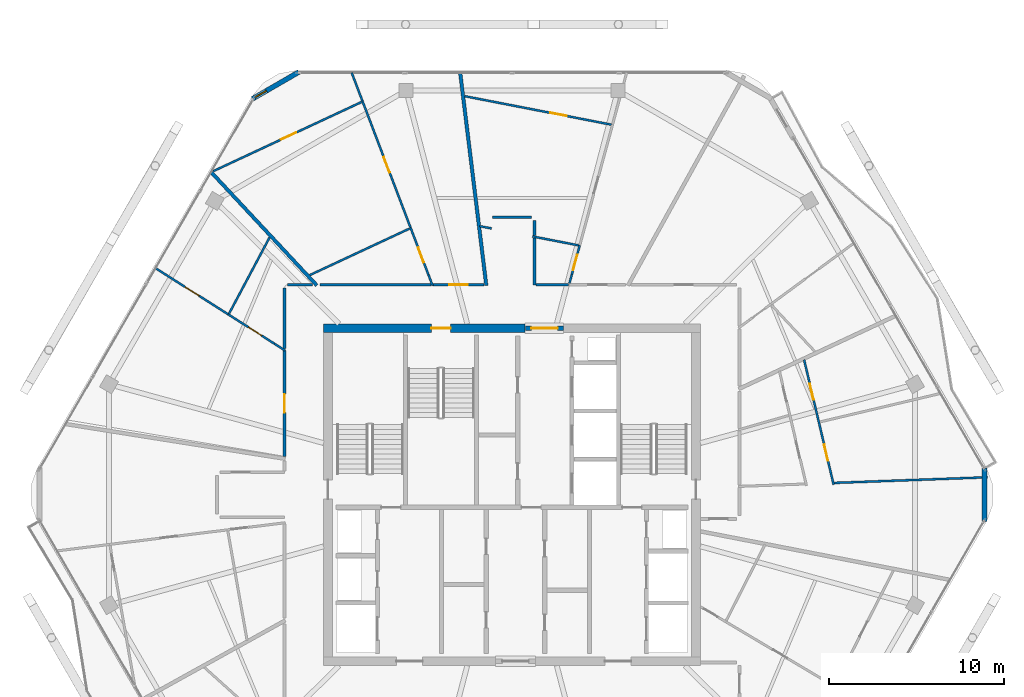
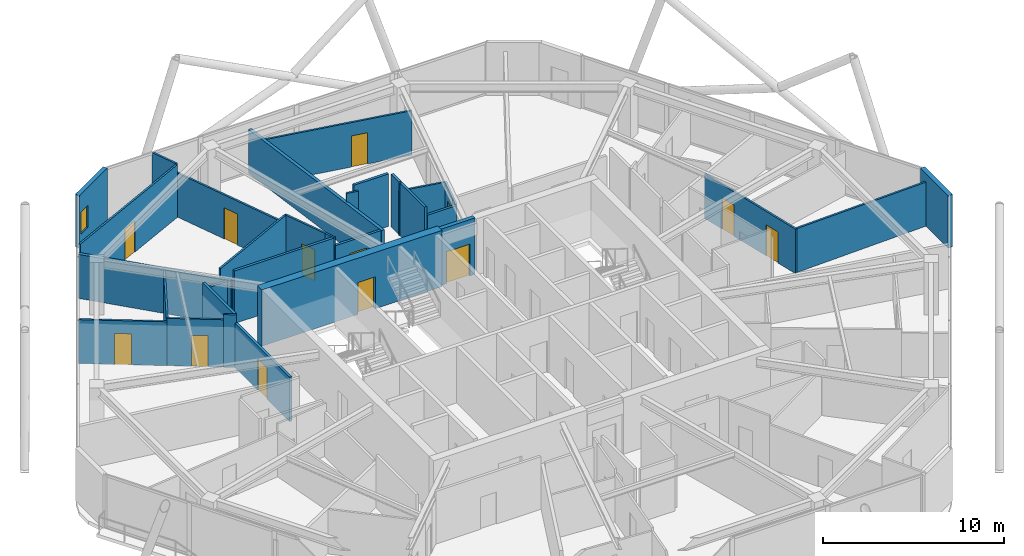
# One storey, part 19 of 23: 32 walls, 13 doors, 1 window, 14 openings.
"""IFC4 building model written with IfcOpenShell, lengths in metres."""

from ifc_helpers import new_model, si_unit, direction, frame, frame_2d, origin, place, context, subcontext, project, spatial, rectangle, extrude, material, layer, layer_set, type_object, element, fill, save


model = new_model("IFC4")

# Units and contexts
model_context = context("Model", 3, precision=1e-05, world=origin(), true_north=direction((0.0, 1.0)))
body_context = subcontext(model_context, "Body", "Model", "MODEL_VIEW")
ifc_project = project(units=[si_unit("LENGTHUNIT", "METRE"), si_unit("AREAUNIT", "SQUARE_METRE"), si_unit("VOLUMEUNIT", "CUBIC_METRE"), si_unit("PLANEANGLEUNIT", "RADIAN"), si_unit("MASSUNIT", "GRAM", prefix="KILO")], contexts=[model_context])

# Site, building, storey
site_placement = place(None, origin())
site = spatial("IfcSite", under=ifc_project, at=site_placement, CompositionType="ELEMENT")
building_placement = place(site_placement, origin())
building = spatial("IfcBuilding", under=site, at=building_placement, Name="Zuhravey Tower", CompositionType="ELEMENT")
storey_placement = place(building_placement, frame((0.0, 0.0, 331.0)))
storey = spatial("IfcBuildingStorey", under=building, at=storey_placement, Name="L84", CompositionType="ELEMENT", Elevation=331.0)

# Wall, opening, door
ifc_material_1 = material(Name="Concrete C50/60", Category="concrete")
ifc_layer_1 = layer(ifc_material_1, 0.5)
ifc_layer_set_1 = layer_set([ifc_layer_1], Name="Concrete C50/60")
wall_type_1 = type_object("IfcWallType", Name="Core Shear Wall 500", PredefinedType="SHEAR", material=ifc_layer_set_1)
wall_1_placement = place(storey_placement, frame((36.75, 41.5, 0.0), z_axis=(0.0, 0.0, 1.0), x_axis=(-1.0, 0.0, 0.0)))
wall_1 = element("IfcWall", 1, at=wall_1_placement, inside=storey, type_object=wall_type_1, Name="L84 North-West Core Shear Wall CW50", PredefinedType="SHEAR", context=body_context, shape_type="SweptSolid", body=[
    extrude(rectangle(XDim=11.5, YDim=0.5, at=frame_2d((5.75, 0.0))), origin(), (0.0, 0.0, 1.0), 3.800048828125),
])
opening_1_placement = place(wall_1_placement, frame((4.25, 0.0, 0.0)))
opening_1 = element("IfcOpeningElement", 2, at=opening_1_placement, cuts=wall_1, Name="Opening STD1", PredefinedType="OPENING", context=body_context, shape_type="SweptSolid", body=[
    extrude(rectangle(XDim=1.10009765625, YDim=2.14990234375, at=frame_2d((0.550048828125, 1.074951171875))), frame((0.0, 0.261962890625, 0.0), z_axis=(0.0, -1.0, 0.0), x_axis=(1.0, 0.0, 0.0)), (0.0, 0.0, 1.0), 0.52392578125),
])
ifc_material_2 = material(Name="Galvanised fire-rated steel leaf", Category="steel")
door_type_1 = type_object("IfcDoorType", Name="Protected Stair Fire Door 1100x2150", OperationType="NOTDEFINED", PredefinedType="USERDEFINED", material=ifc_material_2)
door_1_placement = place(opening_1_placement, origin())
door_1 = element("IfcDoor", 3, at=door_1_placement, inside=storey, type_object=door_type_1, Name="L84 Stair ST3 Door", ObjectType="EXITDOOR", OperationType="SINGLE_SWING_LEFT", OverallHeight=2.14990234375, OverallWidth=1.10009765625, PredefinedType="USERDEFINED", context=body_context, shape_type="SweptSolid", body=[
    extrude(rectangle(XDim=1.10009765625, YDim=2.14990234375, at=frame_2d((0.550048828125, 1.074951171875))), frame((0.0, 0.02490234375, 0.0), z_axis=(0.0, -1.0, 0.0), x_axis=(1.0, 0.0, 0.0)), (0.0, 0.0, 1.0), 0.050048828125),
])
fill(opening_1, door_1)

ifc_material_3 = material(Name="Gypsum fire-rated stud partition")
ifc_layer_2 = layer(ifc_material_3, 0.159912109375)
ifc_layer_set_2 = layer_set([ifc_layer_2], Name="Gypsum fire-rated stud partition")
wall_type_2 = type_object("IfcWallType", Name="Corridor Fire Partition 160", PredefinedType="PARTITIONING", material=ifc_layer_set_2)
wall_2_placement = place(storey_placement, frame((23.02001953125, 40.226318359375, 0.0), z_axis=(0.0, 0.0, 1.0), x_axis=(0.0, -1.0, 0.0)))
wall_2 = element("IfcWall", 4, at=wall_2_placement, inside=storey, type_object=wall_type_2, Name="L84 IW16 Partition 023", PredefinedType="PARTITIONING", context=body_context, shape_type="SweptSolid", body=[
    extrude(rectangle(XDim=6.033935546875, YDim=0.159912109375, at=frame_2d((3.01708984375, 0.0))), origin(), (0.0, 0.0, 1.0), 3.0),
])
opening_2_placement = place(wall_2_placement, frame((2.491943359375, 0.0, 0.0)))
opening_2 = element("IfcOpeningElement", 5, at=opening_2_placement, cuts=wall_2, Name="Opening APD1", PredefinedType="OPENING", context=body_context, shape_type="SweptSolid", body=[
    extrude(rectangle(XDim=1.050048828125, YDim=2.14990234375, at=frame_2d((0.52490234375, 1.074951171875))), frame((0.0, 0.092041015625, 0.0), z_axis=(0.0, -1.0, 0.0), x_axis=(1.0, 0.0, 0.0)), (0.0, 0.0, 1.0), 0.183837890625),
])
ifc_material_4 = material(Name="Solid-core oak fire-rated leaf")
door_type_2 = type_object("IfcDoorType", Name="Apartment Entrance Fire Door 1050x2150", OperationType="NOTDEFINED", PredefinedType="DOOR", material=ifc_material_4)
door_2_placement = place(opening_2_placement, frame((1.050048828125, 0.0, 0.0), z_axis=(0.0, 0.0, 1.0), x_axis=(-1.0, 0.0, 0.0)))
door_2 = element("IfcDoor", 6, at=door_2_placement, inside=storey, type_object=door_type_2, Name="L84 Door 023.1", OperationType="SINGLE_SWING_LEFT", OverallHeight=2.14990234375, OverallWidth=1.050048828125, PredefinedType="DOOR", context=body_context, shape_type="SweptSolid", body=[
    extrude(rectangle(XDim=1.050048828125, YDim=2.14990234375, at=frame_2d((0.52490234375, 1.074951171875))), frame((0.0, 0.02490234375, 0.0), z_axis=(0.0, -1.0, 0.0), x_axis=(1.0, 0.0, 0.0)), (0.0, 0.0, 1.0), 0.050048828125),
])
fill(opening_2, door_2)

wall_3_placement = place(storey_placement, frame((34.402587890625, 43.97998046875, 0.0), z_axis=(0.0, 0.0, 1.0), x_axis=(-1.0, 0.0, 0.0)))
wall_3 = element("IfcWall", 7, at=wall_3_placement, inside=storey, type_object=wall_type_2, Name="L84 IW16 Partition 058", PredefinedType="PARTITIONING", context=body_context, shape_type="SweptSolid", body=[
    extrude(rectangle(XDim=2.931884765625, YDim=0.159912109375, at=frame_2d((1.4658203125, 0.0))), origin(), (0.0, 0.0, 1.0), 3.0),
])
opening_3_placement = place(wall_3_placement, frame((0.94091796875, 0.0, 0.0)))
opening_3 = element("IfcOpeningElement", 8, at=opening_3_placement, cuts=wall_3, Name="Opening APD1", PredefinedType="OPENING", context=body_context, shape_type="SweptSolid", body=[
    extrude(rectangle(XDim=1.050048828125, YDim=2.14990234375, at=frame_2d((0.52490234375, 1.074951171875))), frame((0.0, 0.092041015625, 0.0), z_axis=(0.0, -1.0, 0.0), x_axis=(1.0, 0.0, 0.0)), (0.0, 0.0, 1.0), 0.183837890625),
])
door_3_placement = place(opening_3_placement, frame((1.050048828125, 0.0, 0.0), z_axis=(0.0, 0.0, 1.0), x_axis=(-1.0, 0.0, 0.0)))
door_3 = element("IfcDoor", 9, at=door_3_placement, inside=storey, type_object=door_type_2, Name="L84 Door 058.1", OperationType="SINGLE_SWING_LEFT", OverallHeight=2.14990234375, OverallWidth=1.050048828125, PredefinedType="DOOR", context=body_context, shape_type="SweptSolid", body=[
    extrude(rectangle(XDim=1.050048828125, YDim=2.14990234375, at=frame_2d((0.52490234375, 1.074951171875))), frame((0.0, 0.02490234375, 0.0), z_axis=(0.0, -1.0, 0.0), x_axis=(1.0, 0.0, 0.0)), (0.0, 0.0, 1.0), 0.050048828125),
])
fill(opening_3, door_3)

# Walls
wall_4_placement = place(storey_placement, frame((23.02001953125, 43.800048828125, 0.0), z_axis=(0.0, 0.0, 1.0), x_axis=(0.0, -1.0, 0.0)))
element("IfcWall", 10, at=wall_4_placement, inside=storey, type_object=wall_type_2, Name="L84 IW16 Partition 104", PredefinedType="PARTITIONING", context=body_context, shape_type="SweptSolid", body=[
    extrude(rectangle(XDim=3.46923828125, YDim=0.159912109375, at=frame_2d((1.734619140625, 0.0))), origin(), (0.0, 0.0, 1.0), 3.550048828125),
])
wall_5_placement = place(storey_placement, frame((24.603759765625, 43.97998046875, 0.0), z_axis=(0.0, 0.0, 1.0), x_axis=(-1.0, 0.0, 0.0)))
element("IfcWall", 11, at=wall_5_placement, inside=storey, type_object=wall_type_2, Name="L84 IW16 Partition 105", PredefinedType="PARTITIONING", context=body_context, shape_type="SweptSolid", body=[
    extrude(rectangle(XDim=1.40380859375, YDim=0.159912109375, at=frame_2d((0.701904296875, 0.0))), origin(), (0.0, 0.0, 1.0), 3.0),
])
wall_6_placement = place(storey_placement, frame((37.280029296875, 43.97998046875, 0.0), z_axis=(0.0, 0.0, 1.0), x_axis=(0.0, 1.0, 0.0)))
element("IfcWall", 12, at=wall_6_placement, inside=storey, type_object=wall_type_2, Name="L84 IW16 Partition 123", PredefinedType="PARTITIONING", context=body_context, shape_type="SweptSolid", body=[
    extrude(rectangle(XDim=2.668212890625, YDim=0.159912109375, at=frame_2d((1.333984375, 0.0))), origin(), (0.0, 0.0, 1.0), 3.550048828125),
])
wall_7_placement = place(storey_placement, frame((39.234130859375, 43.97998046875, 0.0), z_axis=(0.0, 0.0, 1.0), x_axis=(-1.0, 0.0, 0.0)))
element("IfcWall", 13, at=wall_7_placement, inside=storey, type_object=wall_type_2, Name="L84 IW16 Partition 124", PredefinedType="PARTITIONING", context=body_context, shape_type="SweptSolid", body=[
    extrude(rectangle(XDim=1.8662109375, YDim=0.159912109375, at=frame_2d((0.93310546875, 0.0))), origin(), (0.0, 0.0, 1.0), 3.0),
])
wall_8_placement = place(storey_placement, frame((37.10009765625, 47.830078125, 0.0), z_axis=(0.0, 0.0, 1.0), x_axis=(-1.0, 0.0, 0.0)))
element("IfcWall", 14, at=wall_8_placement, inside=storey, type_object=wall_type_2, Name="L84 IW16 Partition 125", PredefinedType="PARTITIONING", context=body_context, shape_type="SweptSolid", body=[
    extrude(rectangle(XDim=2.2001953125, YDim=0.159912109375, at=frame_2d((1.10009765625, 0.0))), origin(), (0.0, 0.0, 1.0), 3.550048828125),
])
wall_9_placement = place(storey_placement, frame((37.280029296875, 46.78662109375, 0.0), z_axis=(0.0, 0.0, 1.0), x_axis=(0.0, 1.0, 0.0)))
element("IfcWall", 15, at=wall_9_placement, inside=storey, type_object=wall_type_2, Name="L84 IW16 Partition 126", PredefinedType="PARTITIONING", context=body_context, shape_type="SweptSolid", body=[
    extrude(rectangle(XDim=0.86328125, YDim=0.159912109375, at=frame_2d((0.431640625, 0.0))), origin(), (0.0, 0.0, 1.0), 3.550048828125),
])
wall_10_placement = place(storey_placement, frame((31.37646484375, 43.97998046875, 0.0), z_axis=(0.0, 0.0, 1.0), x_axis=(-1.0, 0.0, 0.0)))
element("IfcWall", 16, at=wall_10_placement, inside=storey, type_object=wall_type_2, Name="L84 IW16 Partition 127", PredefinedType="PARTITIONING", context=body_context, shape_type="SweptSolid", body=[
    extrude(rectangle(XDim=6.326904296875, YDim=0.159912109375, at=frame_2d((3.16357421875, 0.0))), origin(), (0.0, 0.0, 1.0), 3.550048828125),
])

# Wall, opening, window
ifc_material_5 = material(Name="Precast concrete C40/50", Category="concrete")
ifc_layer_3 = layer(ifc_material_5, 0.280029296875)
ifc_layer_set_3 = layer_set([ifc_layer_3], Name="Precast concrete C40/50")
wall_type_3 = type_object("IfcWallType", Name="Crown Architectural Wall 280", PredefinedType="SOLIDWALL", material=ifc_layer_set_3)
wall_11_placement = place(storey_placement, frame((21.188720703125, 54.589111328125, 0.0), z_axis=(0.0, 0.0, 1.0), x_axis=(0.866023752521, 0.50000286006, 0.0)))
wall_11 = element("IfcWall", 17, at=wall_11_placement, inside=storey, type_object=wall_type_3, Name="L84 Rounded Corner Closure Wall EW28-08", PredefinedType="SOLIDWALL", context=body_context, shape_type="SweptSolid", body=[
    extrude(rectangle(XDim=3.06494140625, YDim=0.280029296875, at=frame_2d((1.532470703125, 0.0))), origin(), (0.0, 0.0, 1.0), 3.550048828125),
])
opening_4_placement = place(wall_11_placement, frame((0.1728515625, 0.0, 0.85009765625)))
opening_4 = element("IfcOpeningElement", 18, at=opening_4_placement, cuts=wall_11, Name="Opening WN5", PredefinedType="OPENING", context=body_context, shape_type="SweptSolid", body=[
    extrude(rectangle(XDim=0.75, YDim=1.5, at=frame_2d((0.375, 0.75))), frame((0.0, 0.152099609375, 0.0), z_axis=(0.0, -1.0, 0.0), x_axis=(1.0, 0.0, 0.0)), (0.0, 0.0, 1.0), 0.303955078125),
])
ifc_material_6 = material(Name="Thermally broken aluminium and triple low-E glass", Category="aluminium")
window_type = type_object("IfcWindowType", Name="Residential Corner Casement Window 750x1500", PartitioningType="SINGLE_PANEL", PredefinedType="WINDOW", material=ifc_material_6)
window_placement = place(opening_4_placement, origin())
window = element("IfcWindow", 19, at=window_placement, inside=storey, type_object=window_type, Name="L84 Corner Casement Window WN5-08.1", OverallHeight=1.5, OverallWidth=0.75, PartitioningType="SINGLE_PANEL", PredefinedType="WINDOW", context=body_context, shape_type="SweptSolid", body=[
    extrude(rectangle(XDim=0.75, YDim=1.5, at=frame_2d((0.375, 0.75))), frame((0.0, 0.030029296875, 0.0), z_axis=(0.0, -1.0, 0.0), x_axis=(1.0, 0.0, 0.0)), (0.0, 0.0, 1.0), 0.06005859375),
])
fill(opening_4, window)

# Wall
wall_12_placement = place(storey_placement, frame((62.968505859375, 33.532470703125, 0.0), z_axis=(0.0, 0.0, 1.0), x_axis=(0.0, -1.0, 0.0)))
element("IfcWall", 20, at=wall_12_placement, inside=storey, type_object=wall_type_3, Name="L84 Rounded Corner Closure Wall EW28-12", PredefinedType="SOLIDWALL", context=body_context, shape_type="SweptSolid", body=[
    extrude(rectangle(XDim=3.06494140625, YDim=0.280029296875, at=frame_2d((1.532470703125, 0.0))), origin(), (0.0, 0.0, 1.0), 3.550048828125),
])

# Wall, opening, door
ifc_layer_4 = layer(ifc_material_1, 0.25)
ifc_layer_set_4 = layer_set([ifc_layer_4], Name="Concrete C50/60")
wall_type_4 = type_object("IfcWallType", Name="Firefighting Shaft & Stair Wall 250", PredefinedType="SOLIDWALL", material=ifc_layer_set_4)
wall_13_placement = place(storey_placement, frame((36.760009765625, 41.5, 0.0), z_axis=(0.0, 0.0, 1.0), x_axis=(1.0, 0.0, 0.0)))
wall_13 = element("IfcWall", 21, at=wall_13_placement, inside=storey, type_object=wall_type_4, Name="L84 FW25 Shaft Wall 002", PredefinedType="SOLIDWALL", context=body_context, shape_type="SweptSolid", body=[
    extrude(rectangle(XDim=2.179931640625, YDim=0.25, at=frame_2d((1.08984375, 0.0))), origin(), (0.0, 0.0, 1.0), 3.800048828125),
])
opening_5_placement = place(wall_13_placement, frame((0.340087890625, 0.0, 0.0)))
opening_5 = element("IfcOpeningElement", 22, at=opening_5_placement, cuts=wall_13, Name="Opening FFD1", PredefinedType="OPENING", context=body_context, shape_type="SweptSolid", body=[
    extrude(rectangle(XDim=1.5, YDim=2.14990234375, at=frame_2d((0.75, 1.074951171875))), frame((0.0, 0.136962890625, 0.0), z_axis=(0.0, -1.0, 0.0), x_axis=(1.0, 0.0, 0.0)), (0.0, 0.0, 1.0), 0.27392578125),
])
door_type_3 = type_object("IfcDoorType", Name="Firefighting Lobby Double Door 1500x2150", OperationType="DOUBLE_DOOR_SINGLE_SWING", PredefinedType="DOOR", material=ifc_material_2)
door_4_placement = place(opening_5_placement, origin())
door_4 = element("IfcDoor", 23, at=door_4_placement, inside=storey, type_object=door_type_3, Name="L84 North Lift Lobby Exit Door", OperationType="DOUBLE_DOOR_SINGLE_SWING", OverallHeight=2.14990234375, OverallWidth=1.5, PredefinedType="DOOR", context=body_context, shape_type="SweptSolid", body=[
    extrude(rectangle(XDim=1.5, YDim=2.14990234375, at=frame_2d((0.75, 1.074951171875))), frame((0.0, 0.02490234375, 0.0), z_axis=(0.0, -1.0, 0.0), x_axis=(1.0, 0.0, 0.0)), (0.0, 0.0, 1.0), 0.050048828125),
])
fill(opening_5, door_4)

# Walls
ifc_material_7 = material(Name="Gypsum double-stud party assembly")
ifc_layer_5 = layer(ifc_material_7, 0.199951171875)
ifc_layer_set_5 = layer_set([ifc_layer_5], Name="Gypsum double-stud party assembly")
wall_type_5 = type_object("IfcWallType", Name="Inter-Tenancy Party Wall 200", PredefinedType="PARTITIONING", material=ifc_layer_set_5)
wall_14_placement = place(storey_placement, frame((24.86572265625, 43.93994140625, 0.0), z_axis=(0.0, 0.0, 1.0), x_axis=(-0.68199474611, 0.731357071667, 0.0)))
element("IfcWall", 24, at=wall_14_placement, inside=storey, type_object=wall_type_5, Name="L84 IW20 Partition 063", PredefinedType="PARTITIONING", context=body_context, shape_type="SweptSolid", body=[
    extrude(rectangle(XDim=8.84814453125, YDim=0.199951171875, at=frame_2d((4.424072265625, 0.0))), origin(), (0.0, 0.0, 1.0), 2.969970703125),
])
wall_15_placement = place(storey_placement, frame((34.533935546875, 43.93994140625, 0.0), z_axis=(0.0, 0.0, 1.0), x_axis=(-0.121856786941, 0.992547693301, 0.0)))
element("IfcWall", 25, at=wall_15_placement, inside=storey, type_object=wall_type_5, Name="L84 IW20 Partition 100", PredefinedType="PARTITIONING", context=body_context, shape_type="SweptSolid", body=[
    extrude(rectangle(XDim=12.225341796875, YDim=0.199951171875, at=frame_2d((6.11279296875, 0.0))), origin(), (0.0, 0.0, 1.0), 2.969970703125),
])

# Wall, opening, door
ifc_material_8 = material(Name="Gypsum metal-stud partition")
ifc_layer_6 = layer(ifc_material_8, 0.1201171875)
ifc_layer_set_6 = layer_set([ifc_layer_6], Name="Gypsum metal-stud partition")
wall_type_6 = type_object("IfcWallType", Name="Unit Internal Partition 120", PredefinedType="PARTITIONING", material=ifc_layer_set_6)
wall_16_placement = place(storey_placement, frame((22.449951171875, 40.6123046875, 0.0), z_axis=(0.0, 0.0, 1.0), x_axis=(-0.843946894376, 0.536426732624, 0.0)))
wall_16 = element("IfcWall", 26, at=wall_16_placement, inside=storey, type_object=wall_type_6, Name="L84 IW12 Partition 021", PredefinedType="PARTITIONING", context=body_context, shape_type="SweptSolid", body=[
    extrude(rectangle(XDim=3.133544921875, YDim=0.1201171875, at=frame_2d((1.56689453125, 0.0))), origin(), (0.0, 0.0, 1.0), 3.199951171875),
])
opening_6_placement = place(wall_16_placement, frame((0.865966796875, 0.0, 0.0)))
opening_6 = element("IfcOpeningElement", 27, at=opening_6_placement, cuts=wall_16, Name="Opening WCD1", PredefinedType="OPENING", context=body_context, shape_type="SweptSolid", body=[
    extrude(rectangle(XDim=0.89990234375, YDim=2.10009765625, at=frame_2d((0.449951171875, 1.050048828125))), frame((0.0, 0.072021484375, 0.0), z_axis=(0.0, -1.0, 0.0), x_axis=(1.0, 0.0, 0.0)), (0.0, 0.0, 1.0), 0.14404296875),
])
ifc_material_9 = material(Name="Moisture-resistant timber leaf", Category="wood")
door_type_4 = type_object("IfcDoorType", Name="Bathroom & WC Internal Door 900x2100", OperationType="NOTDEFINED", PredefinedType="DOOR", material=ifc_material_9)
door_5_placement = place(opening_6_placement, frame((0.89990234375, 0.0, 0.0), z_axis=(0.0, 0.0, 1.0), x_axis=(-1.0, 0.0, 0.0)))
door_5 = element("IfcDoor", 28, at=door_5_placement, inside=storey, type_object=door_type_4, Name="Apartment L84-01 Bathroom Door", OperationType="SINGLE_SWING_LEFT", OverallHeight=2.10009765625, OverallWidth=0.89990234375, PredefinedType="DOOR", context=body_context, shape_type="SweptSolid", body=[
    extrude(rectangle(XDim=0.89990234375, YDim=2.10009765625, at=frame_2d((0.449951171875, 1.050048828125))), frame((0.0, 0.02490234375, 0.0), z_axis=(0.0, -1.0, 0.0), x_axis=(1.0, 0.0, 0.0)), (0.0, 0.0, 1.0), 0.050048828125),
])
fill(opening_6, door_5)

wall_17_placement = place(storey_placement, frame((19.805419921875, 42.293212890625, 0.0), z_axis=(0.0, 0.0, 1.0), x_axis=(-0.843964252014, 0.536399423306, 0.0)))
wall_17 = element("IfcWall", 29, at=wall_17_placement, inside=storey, type_object=wall_type_6, Name="L84 IW12 Partition 022", PredefinedType="PARTITIONING", context=body_context, shape_type="SweptSolid", body=[
    extrude(rectangle(XDim=4.911865234375, YDim=0.1201171875, at=frame_2d((2.4560546875, 0.0))), origin(), (0.0, 0.0, 1.0), 2.969970703125),
])
opening_7_placement = place(wall_17_placement, frame((1.9560546875, 0.0, 0.0)))
opening_7 = element("IfcOpeningElement", 30, at=opening_7_placement, cuts=wall_17, Name="Opening IND1", PredefinedType="OPENING", context=body_context, shape_type="SweptSolid", body=[
    extrude(rectangle(XDim=0.949951171875, YDim=2.10009765625, at=frame_2d((0.47509765625, 1.050048828125))), frame((0.0, 0.072021484375, 0.0), z_axis=(0.0, -1.0, 0.0), x_axis=(1.0, 0.0, 0.0)), (0.0, 0.0, 1.0), 0.14404296875),
])
ifc_material_10 = material(Name="Painted engineered timber leaf", Category="wood")
door_type_5 = type_object("IfcDoorType", Name="Internal Room & Bedroom Door 950x2100", OperationType="NOTDEFINED", PredefinedType="DOOR", material=ifc_material_10)
door_6_placement = place(opening_7_placement, frame((0.949951171875, 0.0, 0.0), z_axis=(0.0, 0.0, 1.0), x_axis=(-1.0, 0.0, 0.0)))
door_6 = element("IfcDoor", 31, at=door_6_placement, inside=storey, type_object=door_type_5, Name="Apartment L84-01 Bedroom 1 Door", OperationType="SINGLE_SWING_RIGHT", OverallHeight=2.10009765625, OverallWidth=0.949951171875, PredefinedType="DOOR", context=body_context, shape_type="SweptSolid", body=[
    extrude(rectangle(XDim=0.949951171875, YDim=2.10009765625, at=frame_2d((0.47509765625, 1.050048828125))), frame((0.0, 0.02490234375, 0.0), z_axis=(0.0, -1.0, 0.0), x_axis=(1.0, 0.0, 0.0)), (0.0, 0.0, 1.0), 0.050048828125),
])
fill(opening_7, door_6)

# Wall, openings, doors
wall_18_placement = place(storey_placement, frame((54.352294921875, 32.572998046875, 0.0), z_axis=(0.0, 0.0, 1.0), x_axis=(-0.230060446121, 0.97317634123, 0.0)))
wall_18 = element("IfcWall", 32, at=wall_18_placement, inside=storey, type_object=wall_type_6, Name="L84 IW12 Partition 046", PredefinedType="PARTITIONING", context=body_context, shape_type="SweptSolid", body=[
    extrude(rectangle(XDim=7.32861328125, YDim=0.1201171875, at=frame_2d((3.664306640625, 0.0))), origin(), (0.0, 0.0, 1.0), 3.0),
])
opening_8_placement = place(wall_18_placement, frame((1.4072265625, 0.0, 0.0)))
opening_8 = element("IfcOpeningElement", 33, at=opening_8_placement, cuts=wall_18, Name="Opening IND1", PredefinedType="OPENING", context=body_context, shape_type="SweptSolid", body=[
    extrude(rectangle(XDim=0.949951171875, YDim=2.10009765625, at=frame_2d((0.47509765625, 1.050048828125))), frame((0.0, 0.072021484375, 0.0), z_axis=(0.0, -1.0, 0.0), x_axis=(1.0, 0.0, 0.0)), (0.0, 0.0, 1.0), 0.14404296875),
])
opening_9_placement = place(wall_18_placement, frame((4.9716796875, 0.0, 0.0)))
opening_9 = element("IfcOpeningElement", 34, at=opening_9_placement, cuts=wall_18, Name="Opening IND1", PredefinedType="OPENING", context=body_context, shape_type="SweptSolid", body=[
    extrude(rectangle(XDim=0.949951171875, YDim=2.10009765625, at=frame_2d((0.47509765625, 1.050048828125))), frame((0.0, 0.072021484375, 0.0), z_axis=(0.0, -1.0, 0.0), x_axis=(1.0, 0.0, 0.0)), (0.0, 0.0, 1.0), 0.14404296875),
])
door_7_placement = place(opening_8_placement, frame((0.949951171875, 0.0, 0.0), z_axis=(0.0, 0.0, 1.0), x_axis=(-1.0, 0.0, 0.0)))
door_7 = element("IfcDoor", 35, at=door_7_placement, inside=storey, type_object=door_type_5, Name="Apartment L84-07 Bedroom 1 Door", OperationType="SINGLE_SWING_RIGHT", OverallHeight=2.10009765625, OverallWidth=0.949951171875, PredefinedType="DOOR", context=body_context, shape_type="SweptSolid", body=[
    extrude(rectangle(XDim=0.949951171875, YDim=2.10009765625, at=frame_2d((0.47509765625, 1.050048828125))), frame((0.0, 0.02490234375, 0.0), z_axis=(0.0, -1.0, 0.0), x_axis=(1.0, 0.0, 0.0)), (0.0, 0.0, 1.0), 0.050048828125),
])
fill(opening_8, door_7)
door_8_placement = place(opening_9_placement, frame((0.949951171875, 0.0, 0.0), z_axis=(0.0, 0.0, 1.0), x_axis=(-1.0, 0.0, 0.0)))
door_8 = element("IfcDoor", 36, at=door_8_placement, inside=storey, type_object=door_type_5, Name="Apartment L84-07 Bedroom 2 Door", OperationType="SINGLE_SWING_LEFT", OverallHeight=2.10009765625, OverallWidth=0.949951171875, PredefinedType="DOOR", context=body_context, shape_type="SweptSolid", body=[
    extrude(rectangle(XDim=0.949951171875, YDim=2.10009765625, at=frame_2d((0.47509765625, 1.050048828125))), frame((0.0, 0.02490234375, 0.0), z_axis=(0.0, -1.0, 0.0), x_axis=(1.0, 0.0, 0.0)), (0.0, 0.0, 1.0), 0.050048828125),
])
fill(opening_9, door_8)

# Wall, opening, door
wall_19_placement = place(storey_placement, frame((39.409912109375, 44.550048828125, 0.0), z_axis=(0.0, 0.0, 1.0), x_axis=(0.262173284377, 0.965020812708, 0.0)))
wall_19 = element("IfcWall", 37, at=wall_19_placement, inside=storey, type_object=wall_type_6, Name="L84 IW12 Partition 051", PredefinedType="PARTITIONING", context=body_context, shape_type="SweptSolid", body=[
    extrude(rectangle(XDim=1.750732421875, YDim=0.1201171875, at=frame_2d((0.87548828125, 0.0))), origin(), (0.0, 0.0, 1.0), 3.0),
])
opening_10_placement = place(wall_19_placement, frame((0.285400390625, 0.0, 0.0)))
opening_10 = element("IfcOpeningElement", 38, at=opening_10_placement, cuts=wall_19, Name="Opening WCD1", PredefinedType="OPENING", context=body_context, shape_type="SweptSolid", body=[
    extrude(rectangle(XDim=0.89990234375, YDim=2.10009765625, at=frame_2d((0.449951171875, 1.050048828125))), frame((0.0, 0.072021484375, 0.0), z_axis=(0.0, -1.0, 0.0), x_axis=(1.0, 0.0, 0.0)), (0.0, 0.0, 1.0), 0.14404296875),
])
door_9_placement = place(opening_10_placement, origin())
door_9 = element("IfcDoor", 39, at=door_9_placement, inside=storey, type_object=door_type_4, Name="Apartment L84-09 Bathroom Door", OperationType="SINGLE_SWING_RIGHT", OverallHeight=2.10009765625, OverallWidth=0.89990234375, PredefinedType="DOOR", context=body_context, shape_type="SweptSolid", body=[
    extrude(rectangle(XDim=0.89990234375, YDim=2.10009765625, at=frame_2d((0.449951171875, 1.050048828125))), frame((0.0, 0.02490234375, 0.0), z_axis=(0.0, -1.0, 0.0), x_axis=(1.0, 0.0, 0.0)), (0.0, 0.0, 1.0), 0.050048828125),
])
fill(opening_10, door_9)

wall_20_placement = place(storey_placement, frame((41.66650390625, 53.115478515625, 0.0), z_axis=(0.0, 0.0, 1.0), x_axis=(-0.981630458745, 0.190792144662, 0.0)))
wall_20 = element("IfcWall", 40, at=wall_20_placement, inside=storey, type_object=wall_type_6, Name="L84 IW12 Partition 053", PredefinedType="PARTITIONING", context=body_context, shape_type="SweptSolid", body=[
    extrude(rectangle(XDim=8.5146484375, YDim=0.1201171875, at=frame_2d((4.25732421875, 0.0))), origin(), (0.0, 0.0, 1.0), 3.0),
])
opening_11_placement = place(wall_20_placement, frame((2.59814453125, 0.0, 0.0)))
opening_11 = element("IfcOpeningElement", 41, at=opening_11_placement, cuts=wall_20, Name="Opening IND1", PredefinedType="OPENING", context=body_context, shape_type="SweptSolid", body=[
    extrude(rectangle(XDim=0.949951171875, YDim=2.10009765625, at=frame_2d((0.47509765625, 1.050048828125))), frame((0.0, 0.072021484375, 0.0), z_axis=(0.0, -1.0, 0.0), x_axis=(1.0, 0.0, 0.0)), (0.0, 0.0, 1.0), 0.14404296875),
])
door_10_placement = place(opening_11_placement, frame((0.949951171875, 0.0, 0.0), z_axis=(0.0, 0.0, 1.0), x_axis=(-1.0, 0.0, 0.0)))
door_10 = element("IfcDoor", 42, at=door_10_placement, inside=storey, type_object=door_type_5, Name="Apartment L84-09 Bedroom 1 Door", OperationType="SINGLE_SWING_RIGHT", OverallHeight=2.10009765625, OverallWidth=0.949951171875, PredefinedType="DOOR", context=body_context, shape_type="SweptSolid", body=[
    extrude(rectangle(XDim=0.949951171875, YDim=2.10009765625, at=frame_2d((0.47509765625, 1.050048828125))), frame((0.0, 0.02490234375, 0.0), z_axis=(0.0, -1.0, 0.0), x_axis=(1.0, 0.0, 0.0)), (0.0, 0.0, 1.0), 0.050048828125),
])
fill(opening_11, door_10)

wall_21_placement = place(storey_placement, frame((31.232666015625, 44.550048828125, 0.0), z_axis=(0.0, 0.0, 1.0), x_axis=(-0.355127317652, 0.934817943911, 0.0)))
wall_21 = element("IfcWall", 43, at=wall_21_placement, inside=storey, type_object=wall_type_6, Name="L84 IW12 Partition 055", PredefinedType="PARTITIONING", context=body_context, shape_type="SweptSolid", body=[
    extrude(rectangle(XDim=2.877685546875, YDim=0.1201171875, at=frame_2d((1.43896484375, 0.0))), origin(), (0.0, 0.0, 1.0), 3.550048828125),
])
opening_12_placement = place(wall_21_placement, frame((0.7587890625, 0.0, 0.0)))
opening_12 = element("IfcOpeningElement", 44, at=opening_12_placement, cuts=wall_21, Name="Opening WCD1", PredefinedType="OPENING", context=body_context, shape_type="SweptSolid", body=[
    extrude(rectangle(XDim=0.89990234375, YDim=2.10009765625, at=frame_2d((0.449951171875, 1.050048828125))), frame((0.0, 0.072021484375, 0.0), z_axis=(0.0, -1.0, 0.0), x_axis=(1.0, 0.0, 0.0)), (0.0, 0.0, 1.0), 0.14404296875),
])
door_11_placement = place(opening_12_placement, origin())
door_11 = element("IfcDoor", 45, at=door_11_placement, inside=storey, type_object=door_type_4, Name="Apartment L84-10 Bathroom Door", OperationType="SINGLE_SWING_RIGHT", OverallHeight=2.10009765625, OverallWidth=0.89990234375, PredefinedType="DOOR", context=body_context, shape_type="SweptSolid", body=[
    extrude(rectangle(XDim=0.89990234375, YDim=2.10009765625, at=frame_2d((0.449951171875, 1.050048828125))), frame((0.0, 0.02490234375, 0.0), z_axis=(0.0, -1.0, 0.0), x_axis=(1.0, 0.0, 0.0)), (0.0, 0.0, 1.0), 0.050048828125),
])
fill(opening_12, door_11)

wall_22_placement = place(storey_placement, frame((30.210693359375, 47.240234375, 0.0), z_axis=(0.0, 0.0, 1.0), x_axis=(-0.355107814632, 0.934825352666, 0.0)))
wall_22 = element("IfcWall", 46, at=wall_22_placement, inside=storey, type_object=wall_type_6, Name="L84 IW12 Partition 056", PredefinedType="PARTITIONING", context=body_context, shape_type="SweptSolid", body=[
    extrude(rectangle(XDim=7.722900390625, YDim=0.1201171875, at=frame_2d((3.861328125, 0.0))), origin(), (0.0, 0.0, 1.0), 2.969970703125),
])
opening_13_placement = place(wall_22_placement, frame((3.361328125, 0.0, 0.0)))
opening_13 = element("IfcOpeningElement", 47, at=opening_13_placement, cuts=wall_22, Name="Opening IND1", PredefinedType="OPENING", context=body_context, shape_type="SweptSolid", body=[
    extrude(rectangle(XDim=0.949951171875, YDim=2.10009765625, at=frame_2d((0.47509765625, 1.050048828125))), frame((0.0, 0.072021484375, 0.0), z_axis=(0.0, -1.0, 0.0), x_axis=(1.0, 0.0, 0.0)), (0.0, 0.0, 1.0), 0.14404296875),
])
door_12_placement = place(opening_13_placement, origin())
door_12 = element("IfcDoor", 48, at=door_12_placement, inside=storey, type_object=door_type_5, Name="Apartment L84-10 Home Office Door", OperationType="SINGLE_SWING_LEFT", OverallHeight=2.10009765625, OverallWidth=0.949951171875, PredefinedType="DOOR", context=body_context, shape_type="SweptSolid", body=[
    extrude(rectangle(XDim=0.949951171875, YDim=2.10009765625, at=frame_2d((0.47509765625, 1.050048828125))), frame((0.0, 0.02490234375, 0.0), z_axis=(0.0, -1.0, 0.0), x_axis=(1.0, 0.0, 0.0)), (0.0, 0.0, 1.0), 0.050048828125),
])
fill(opening_13, door_12)

wall_23_placement = place(storey_placement, frame((27.415283203125, 54.40771484375, 0.0), z_axis=(0.0, 0.0, 1.0), x_axis=(-0.906299284586, -0.422636494825, 0.0)))
wall_23 = element("IfcWall", 49, at=wall_23_placement, inside=storey, type_object=wall_type_6, Name="L84 IW12 Partition 057", PredefinedType="PARTITIONING", context=body_context, shape_type="SweptSolid", body=[
    extrude(rectangle(XDim=9.34130859375, YDim=0.1201171875, at=frame_2d((4.670654296875, 0.0))), origin(), (0.0, 0.0, 1.0), 3.550048828125),
])
opening_14_placement = place(wall_23_placement, frame((4.111572265625, 0.0, 0.0)))
opening_14 = element("IfcOpeningElement", 50, at=opening_14_placement, cuts=wall_23, Name="Opening IND1", PredefinedType="OPENING", context=body_context, shape_type="SweptSolid", body=[
    extrude(rectangle(XDim=0.949951171875, YDim=2.10009765625, at=frame_2d((0.47509765625, 1.050048828125))), frame((0.0, 0.072021484375, 0.0), z_axis=(0.0, -1.0, 0.0), x_axis=(1.0, 0.0, 0.0)), (0.0, 0.0, 1.0), 0.14404296875),
])
door_13_placement = place(opening_14_placement, frame((0.949951171875, 0.0, 0.0), z_axis=(0.0, 0.0, 1.0), x_axis=(-1.0, 0.0, 0.0)))
door_13 = element("IfcDoor", 51, at=door_13_placement, inside=storey, type_object=door_type_5, Name="Apartment L84-10 Bedroom 1 Door", OperationType="SINGLE_SWING_RIGHT", OverallHeight=2.10009765625, OverallWidth=0.949951171875, PredefinedType="DOOR", context=body_context, shape_type="SweptSolid", body=[
    extrude(rectangle(XDim=0.949951171875, YDim=2.10009765625, at=frame_2d((0.47509765625, 1.050048828125))), frame((0.0, 0.02490234375, 0.0), z_axis=(0.0, -1.0, 0.0), x_axis=(1.0, 0.0, 0.0)), (0.0, 0.0, 1.0), 0.050048828125),
])
fill(opening_14, door_13)

# Walls
wall_24_placement = place(storey_placement, frame((23.057373046875, 40.226318359375, 0.0), z_axis=(0.0, 0.0, 1.0), x_axis=(-0.844010519213, 0.536326620127, 0.0)))
element("IfcWall", 52, at=wall_24_placement, inside=storey, type_object=wall_type_6, Name="L84 IW12 Partition 064", PredefinedType="PARTITIONING", context=body_context, shape_type="SweptSolid", body=[
    extrude(rectangle(XDim=0.7197265625, YDim=0.1201171875, at=frame_2d((0.35986328125, 0.0))), origin(), (0.0, 0.0, 1.0), 3.550048828125),
])
wall_25_placement = place(storey_placement, frame((22.165283203125, 46.677734375, 0.0), z_axis=(0.0, 0.0, 1.0), x_axis=(-0.469514895951, -0.882924550842, 0.0)))
element("IfcWall", 53, at=wall_25_placement, inside=storey, type_object=wall_type_6, Name="L84 IW12 Partition 065", PredefinedType="PARTITIONING", context=body_context, shape_type="SweptSolid", body=[
    extrude(rectangle(XDim=4.912841796875, YDim=0.1201171875, at=frame_2d((2.45654296875, 0.0))), origin(), (0.0, 0.0, 1.0), 3.0),
])
wall_26_placement = place(storey_placement, frame((54.39794921875, 32.6748046875, 0.0), z_axis=(0.0, 0.0, 1.0), x_axis=(0.999328863412, 0.036630898874, 0.0)))
element("IfcWall", 54, at=wall_26_placement, inside=storey, type_object=wall_type_6, Name="L84 IW12 Partition 090", PredefinedType="PARTITIONING", context=body_context, shape_type="SweptSolid", body=[
    extrude(rectangle(XDim=8.7509765625, YDim=0.1201171875, at=frame_2d((4.37548828125, 0.0))), origin(), (0.0, 0.0, 1.0), 2.969970703125),
])
wall_27_placement = place(storey_placement, frame((39.27880859375, 44.068115234375, 0.0), z_axis=(0.0, 0.0, 1.0), x_axis=(0.262496924618, 0.964932829044, 0.0)))
element("IfcWall", 55, at=wall_27_placement, inside=storey, type_object=wall_type_6, Name="L84 IW12 Partition 095", PredefinedType="PARTITIONING", context=body_context, shape_type="SweptSolid", body=[
    extrude(rectangle(XDim=0.49951171875, YDim=0.1201171875, at=frame_2d((0.249755859375, 0.0))), origin(), (0.0, 0.0, 1.0), 3.0),
])
wall_28_placement = place(storey_placement, frame((39.79541015625, 46.228515625, 0.0), z_axis=(0.0, 0.0, 1.0), x_axis=(-0.981632896255, 0.190779603181, 0.0)))
element("IfcWall", 56, at=wall_28_placement, inside=storey, type_object=wall_type_6, Name="L84 IW12 Partition 098", PredefinedType="PARTITIONING", context=body_context, shape_type="SweptSolid", body=[
    extrude(rectangle(XDim=2.684814453125, YDim=0.1201171875, at=frame_2d((1.34228515625, 0.0))), origin(), (0.0, 0.0, 1.0), 3.0),
])
wall_29_placement = place(storey_placement, frame((34.840087890625, 47.191650390625, 0.0), z_axis=(0.0, 0.0, 1.0), x_axis=(-0.981613573496, 0.190878999183, 0.0)))
element("IfcWall", 57, at=wall_29_placement, inside=storey, type_object=wall_type_6, Name="L84 IW12 Partition 099", PredefinedType="PARTITIONING", context=body_context, shape_type="SweptSolid", body=[
    extrude(rectangle(XDim=0.69970703125, YDim=0.1201171875, at=frame_2d((0.349853515625, 0.0))), origin(), (0.0, 0.0, 1.0), 3.550048828125),
])
wall_30_placement = place(storey_placement, frame((31.4658203125, 43.9365234375, 0.0), z_axis=(0.0, 0.0, 1.0), x_axis=(-0.355237262968, 0.934776169465, 0.0)))
element("IfcWall", 58, at=wall_30_placement, inside=storey, type_object=wall_type_6, Name="L84 IW12 Partition 101", PredefinedType="PARTITIONING", context=body_context, shape_type="SweptSolid", body=[
    extrude(rectangle(XDim=0.65625, YDim=0.1201171875, at=frame_2d((0.328125, 0.0))), origin(), (0.0, 0.0, 1.0), 3.550048828125),
])
wall_31_placement = place(storey_placement, frame((27.46826171875, 54.459716796875, 0.0), z_axis=(0.0, 0.0, 1.0), x_axis=(-0.35502809258, 0.934855632426, 0.0)))
element("IfcWall", 59, at=wall_31_placement, inside=storey, type_object=wall_type_6, Name="L84 IW12 Partition 102", PredefinedType="PARTITIONING", context=body_context, shape_type="SweptSolid", body=[
    extrude(rectangle(XDim=1.732177734375, YDim=0.1201171875, at=frame_2d((0.8662109375, 0.0))), origin(), (0.0, 0.0, 1.0), 3.550048828125),
])
wall_32_placement = place(storey_placement, frame((30.157958984375, 47.18798828125, 0.0), z_axis=(0.0, 0.0, 1.0), x_axis=(-0.906327969047, -0.422574978582, 0.0)))
element("IfcWall", 60, at=wall_32_placement, inside=storey, type_object=wall_type_6, Name="L84 IW12 Partition 103", PredefinedType="PARTITIONING", context=body_context, shape_type="SweptSolid", body=[
    extrude(rectangle(XDim=6.285400390625, YDim=0.1201171875, at=frame_2d((3.142578125, 0.0))), origin(), (0.0, 0.0, 1.0), 3.550048828125),
])

save(model, "model.ifc")
